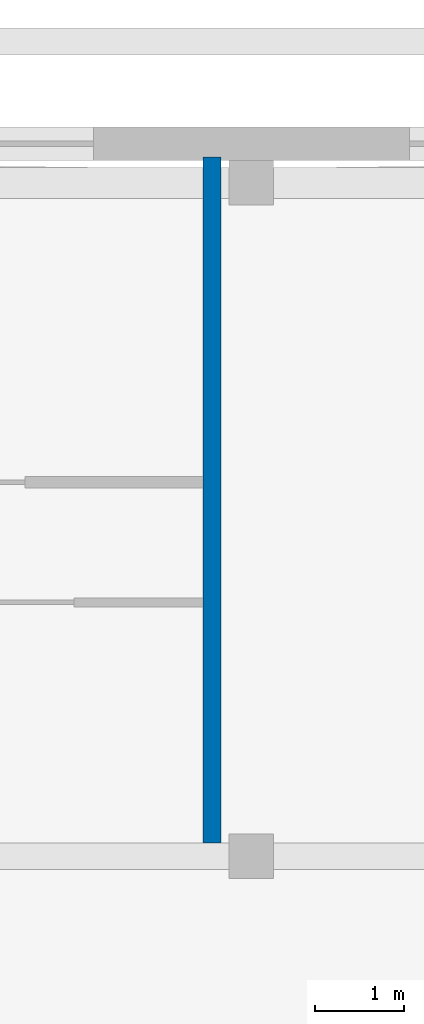
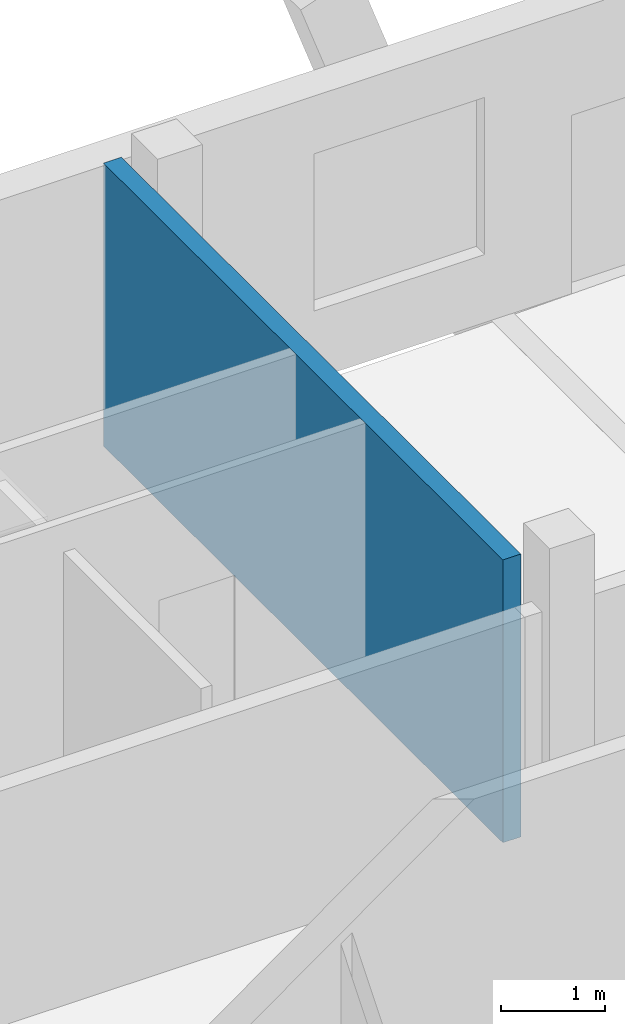
# One storey, part 158 of 189: 1 wall.
"""IFC4 building model written with IfcOpenShell, lengths in metres."""

from ifc_helpers import new_model, si_unit, direction, frame, frame_2d, origin, place, context, subcontext, project, spatial, rectangle, extrude, material, layer, layer_set, type_object, element, save


model = new_model("IFC4")

# Units and contexts
model_context = context("Model", 3, precision=1e-05, world=origin(), true_north=direction((0.0, 1.0)))
body_context = subcontext(model_context, "Body", "Model", "MODEL_VIEW")
ifc_project = project(units=[si_unit("LENGTHUNIT", "METRE"), si_unit("AREAUNIT", "SQUARE_METRE"), si_unit("VOLUMEUNIT", "CUBIC_METRE"), si_unit("PLANEANGLEUNIT", "RADIAN"), si_unit("MASSUNIT", "GRAM", prefix="KILO")], contexts=[model_context])

# Site, building, storey
site_placement = place(None, origin())
site = spatial("IfcSite", under=ifc_project, at=site_placement, CompositionType="ELEMENT")
building_placement = place(site_placement, origin())
building = spatial("IfcBuilding", under=site, at=building_placement, Name="Zavelmont Quarter", CompositionType="ELEMENT")
storey_placement = place(building_placement, frame((0.0, 0.0, 4.39990234375)))
storey = spatial("IfcBuildingStorey", under=building, at=storey_placement, Name="L01", CompositionType="ELEMENT", Elevation=4.39990234375)

# Wall
ifc_material = material(Name="Calcium-silicate blockwork and acoustic plaster", Category="masonry")
ifc_layer = layer(ifc_material, 0.199951171875)
ifc_layer_set = layer_set([ifc_layer], Name="Calcium-silicate blockwork and acoustic plaster")
wall_type = type_object("IfcWallType", Name="IW01", PredefinedType="PARTITIONING", material=ifc_layer_set)
wall_placement = place(storey_placement, frame((126.60009765625, 108.14990234375, 0.0), z_axis=(0.0, 0.0, 1.0), x_axis=(0.0, 1.0, 0.0)))
element("IfcWall", 1, at=wall_placement, inside=storey, type_object=wall_type, Name="L01 Inter-dwelling compartment wall IW01", PredefinedType="PARTITIONING", context=body_context, shape_type="SweptSolid", body=[
    extrude(rectangle(XDim=7.7001953125, YDim=0.199951171875, at=frame_2d((3.85009765625, 0.0))), origin(), (0.0, 0.0, 1.0), 3.330078125),
])

save(model, "model.ifc")
